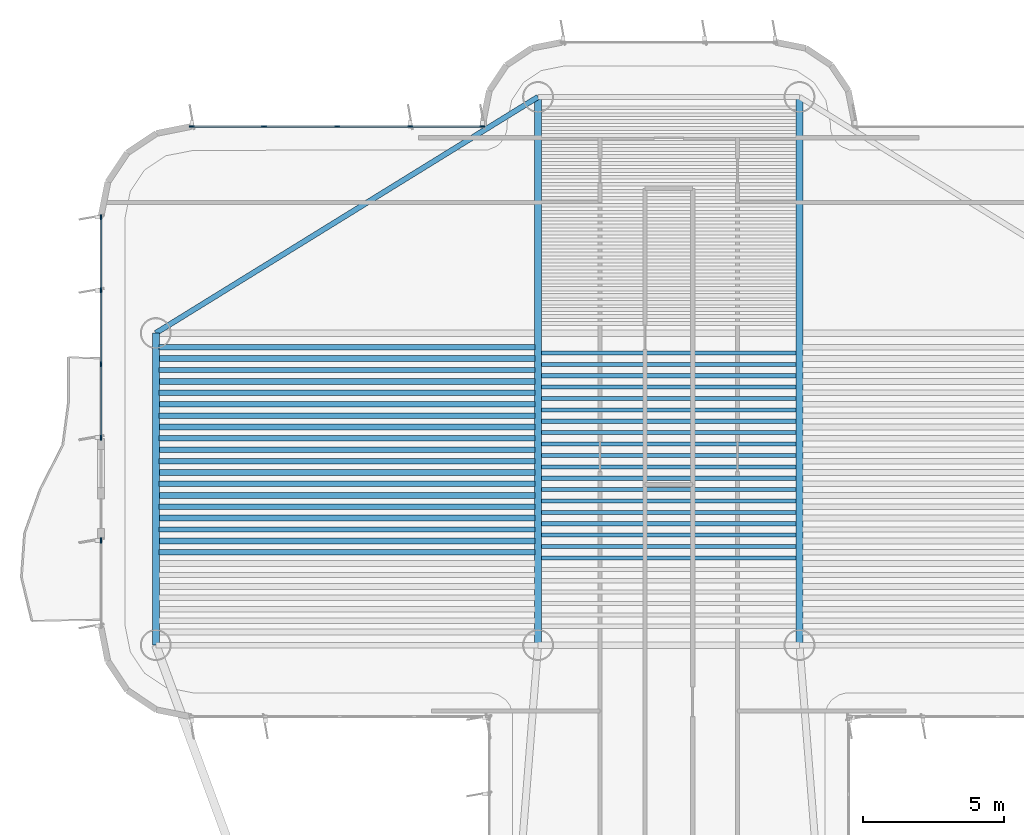
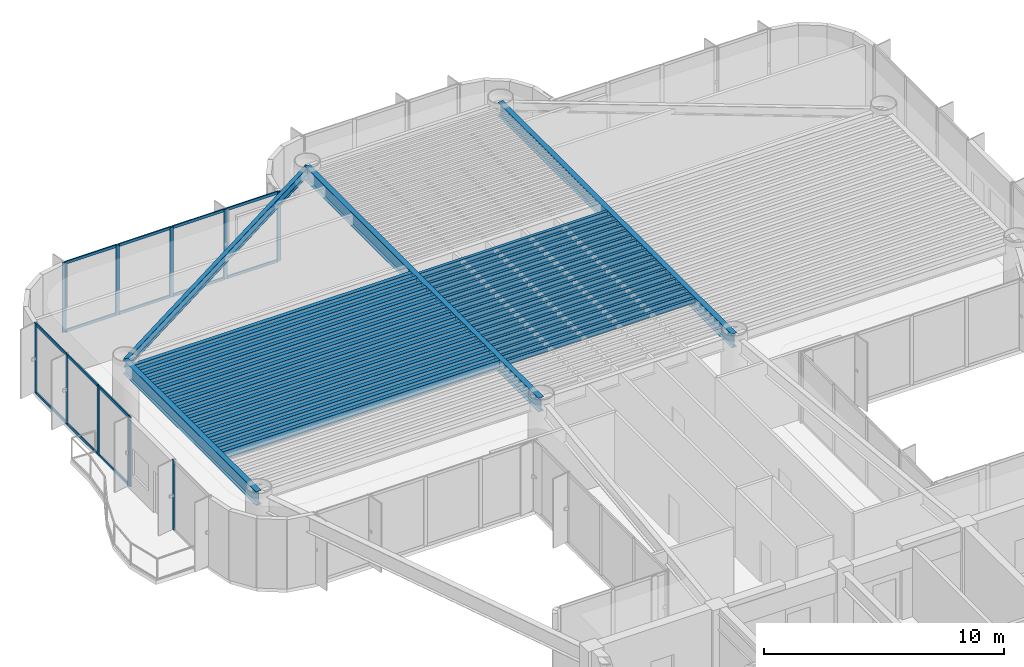
# One storey, part 5 of 13: 42 beams, 24 members, 3 elements without a shape of their own.
"""IFC4 building model written with IfcOpenShell, lengths in metres."""

from ifc_helpers import new_model, si_unit, direction, frame, origin, origin_2d, place, context, subcontext, project, spatial, rectangle, i_section, extrude, source, transform, mapped, material, layer, layer_set, material_profile, profile_set, type_object, element, aggregate, save


model = new_model("IFC4")

# Units and contexts
model_context = context("Model", 3, precision=1e-05, world=origin(), true_north=direction((0.0, 1.0)))
body_context = subcontext(model_context, "Body", "Model", "MODEL_VIEW")
ifc_project = project(units=[si_unit("LENGTHUNIT", "METRE"), si_unit("AREAUNIT", "SQUARE_METRE"), si_unit("VOLUMEUNIT", "CUBIC_METRE"), si_unit("PLANEANGLEUNIT", "RADIAN"), si_unit("MASSUNIT", "GRAM", prefix="KILO")], contexts=[model_context])

# Site, building, storey
site_placement = place(None, origin())
site = spatial("IfcSite", under=ifc_project, at=site_placement, CompositionType="ELEMENT")
building_placement = place(site_placement, origin())
building = spatial("IfcBuilding", under=site, at=building_placement, Name="Brelvock Crest Care Tower", CompositionType="ELEMENT")
storey_placement = place(building_placement, frame((0.0, 0.0, 186.659912109375)))
storey = spatial("IfcBuildingStorey", under=building, at=storey_placement, Name="L47", CompositionType="ELEMENT", Elevation=186.659912109375)

# Beams
ifc_material_1 = material(Name="Steel Grade 350", Category="steel")
ifc_material_profile_1 = material_profile(ifc_material_1, i_section(OverallWidth=0.14599609375, OverallDepth=0.256103515625, WebThickness=0.00634765625, FlangeThickness=0.010986328125, FilletRadius=0.0087890625, at=origin_2d()), Name="250UB37.3")
ifc_profile_set_1 = profile_set([ifc_material_profile_1], Name="Steel Grade 350")
beam_type_1 = type_object("IfcBeamType", Name="BM-J3", PredefinedType="JOIST", material=ifc_profile_set_1)
shared_shape_1 = source(origin(), body_context, "Body", "SweptSolid", [
    extrude(i_section(OverallWidth=0.14599609375, OverallDepth=0.256103515625, WebThickness=0.00634765625, FlangeThickness=0.010986328125, FilletRadius=0.0087890625, at=origin_2d()), origin(), (0.0, 0.0, 1.0), 9.06982421875),
])
for number, where, z_axis, x_axis, name in (
    (1, (31.465087890625, 38.0498046875, 3.402099609375), (1.0, 0.0, 0.0), (0.0, 1.0, 0.0), "BM-JH-L47-7"),
    (2, (31.465087890625, 38.454833984375, 3.402099609375), (1.0, 0.0, 0.0), (0.0, 1.0, 0.0), "BM-JH-L47-8"),
    (3, (31.465087890625, 38.860107421875, 3.402099609375), (1.0, 0.0, 0.0), (0.0, 1.0, 0.0), "BM-JH-L47-9"),
    (4, (31.465087890625, 39.26513671875, 3.402099609375), (1.0, 0.0, 0.0), (0.0, 1.0, 0.0), "BM-JH-L47-10"),
    (5, (31.465087890625, 39.67041015625, 3.402099609375), (1.0, 0.0, 0.0), (0.0, 1.0, 0.0), "BM-JH-L47-11"),
    (6, (31.465087890625, 40.075439453125, 3.402099609375), (1.0, 0.0, 0.0), (0.0, 1.0, 0.0), "BM-JH-L47-12"),
    (7, (31.465087890625, 40.480712890625, 3.402099609375), (1.0, 0.0, 0.0), (0.0, 1.0, 0.0), "BM-JH-L47-13"),
    (8, (31.465087890625, 40.8857421875, 3.402099609375), (1.0, 0.0, 0.0), (0.0, 1.0, 0.0), "BM-JH-L47-14"),
    (9, (31.465087890625, 41.291015625, 3.402099609375), (1.0, 0.0, 0.0), (0.0, 1.0, 0.0), "BM-JH-L47-15"),
    (10, (31.465087890625, 41.696044921875, 3.402099609375), (1.0, 0.0, 0.0), (0.0, 1.0, 0.0), "BM-JH-L47-16"),
    (11, (31.465087890625, 42.101318359375, 3.402099609375), (1.0, 0.0, 0.0), (0.0, 1.0, 0.0), "BM-JH-L47-17"),
    (12, (31.465087890625, 42.50634765625, 3.402099609375), (1.0, 0.0, 0.0), (0.0, 1.0, 0.0), "BM-JH-L47-18"),
    (13, (31.465087890625, 42.91162109375, 3.402099609375), (1.0, 0.0, 0.0), (0.0, 1.0, 0.0), "BM-JH-L47-19"),
    (14, (31.465087890625, 43.316650390625, 3.402099609375), (1.0, 0.0, 0.0), (0.0, 1.0, 0.0), "BM-JH-L47-20"),
    (15, (31.465087890625, 43.7216796875, 3.402099609375), (1.0, 0.0, 0.0), (0.0, 1.0, 0.0), "BM-JH-L47-21"),
    (16, (31.465087890625, 44.126953125, 3.402099609375), (1.0, 0.0, 0.0), (0.0, 1.0, 0.0), "BM-JH-L47-22"),
    (17, (31.465087890625, 44.531982421875, 3.402099609375), (1.0, 0.0, 0.0), (0.0, 1.0, 0.0), "BM-JH-L47-23"),
    (18, (31.465087890625, 44.937255859375, 3.402099609375), (1.0, 0.0, 0.0), (0.0, 1.0, 0.0), "BM-JH-L47-24"),
    (19, (31.465087890625, 45.34228515625, 3.402099609375), (1.0, 0.0, 0.0), (0.0, 1.0, 0.0), "BM-JH-L47-25"),
):
    element("IfcBeam", number, at=place(storey_placement, frame(where, z_axis=z_axis, x_axis=x_axis)), inside=storey, type_object=beam_type_1, Name=name, PredefinedType="JOIST", context=body_context, shape_type="MappedRepresentation", body=[
        mapped(shared_shape_1, transform((0.0, 0.0, 0.0), x_axis=(1.0, 0.0, 0.0), y_axis=(0.0, 1.0, 0.0), z_axis=(0.0, 0.0, 1.0), scale=1.0)),
    ])
ifc_material_profile_2 = material_profile(ifc_material_1, i_section(OverallWidth=0.208984375, OverallDepth=0.532958984375, WebThickness=0.01025390625, FlangeThickness=0.015625, FilletRadius=0.013916015625, at=origin_2d()), Name="530UB92.4")
ifc_profile_set_2 = profile_set([ifc_material_profile_2], Name="Steel Grade 350")
beam_type_2 = type_object("IfcBeamType", Name="BM-G2", PredefinedType="BEAM", material=ifc_profile_set_2)
shared_shape_2 = source(origin(), body_context, "Body", "SweptSolid", [
    extrude(i_section(OverallWidth=0.208984375, OverallDepth=0.532958984375, WebThickness=0.01025390625, FlangeThickness=0.015625, FilletRadius=0.013916015625, at=origin_2d()), origin(), (0.0, 0.0, 1.0), 13.3701171875),
])
for number, where, z_axis, x_axis, name in (
    (20, (17.864990234375, 38.657470703125, 3.263671875), (1.0, 0.0, 0.0), (0.0, 1.0, 0.0), "BM-JW-L47-9"),
    (21, (17.864990234375, 39.4677734375, 3.263671875), (1.0, 0.0, 0.0), (0.0, 1.0, 0.0), "BM-JW-L47-11"),
    (22, (17.864990234375, 40.278076171875, 3.263671875), (1.0, 0.0, 0.0), (0.0, 1.0, 0.0), "BM-JW-L47-13"),
    (23, (17.864990234375, 41.08837890625, 3.263671875), (1.0, 0.0, 0.0), (0.0, 1.0, 0.0), "BM-JW-L47-15"),
    (24, (17.864990234375, 41.898681640625, 3.263671875), (1.0, 0.0, 0.0), (0.0, 1.0, 0.0), "BM-JW-L47-17"),
    (25, (17.864990234375, 42.708984375, 3.263671875), (1.0, 0.0, 0.0), (0.0, 1.0, 0.0), "BM-JW-L47-19"),
    (26, (17.864990234375, 43.519287109375, 3.263671875), (1.0, 0.0, 0.0), (0.0, 1.0, 0.0), "BM-JW-L47-21"),
    (27, (17.864990234375, 44.32958984375, 3.263671875), (1.0, 0.0, 0.0), (0.0, 1.0, 0.0), "BM-JW-L47-23"),
    (28, (17.864990234375, 45.139892578125, 3.263671875), (1.0, 0.0, 0.0), (0.0, 1.0, 0.0), "BM-JW-L47-25"),
):
    element("IfcBeam", number, at=place(storey_placement, frame(where, z_axis=z_axis, x_axis=x_axis)), inside=storey, type_object=beam_type_2, Name=name, PredefinedType="BEAM", context=body_context, shape_type="MappedRepresentation", body=[
        mapped(shared_shape_2, transform((0.0, 0.0, 0.0), x_axis=(1.0, 0.0, 0.0), y_axis=(0.0, 1.0, 0.0), z_axis=(0.0, 0.0, 1.0), scale=1.0)),
    ])
ifc_material_profile_3 = material_profile(ifc_material_1, i_section(OverallWidth=0.19091796875, OverallDepth=0.4599609375, WebThickness=0.010009765625, FlangeThickness=0.01611328125, FilletRadius=0.011474609375, at=origin_2d()), Name="460UB82.1")
ifc_profile_set_3 = profile_set([ifc_material_profile_3], Name="Steel Grade 350")
beam_type_3 = type_object("IfcBeamType", Name="BM-G3", PredefinedType="BEAM", material=ifc_profile_set_3)
shared_shape_3 = source(origin(), body_context, "Body", "SweptSolid", [
    extrude(i_section(OverallWidth=0.19091796875, OverallDepth=0.4599609375, WebThickness=0.010009765625, FlangeThickness=0.01611328125, FilletRadius=0.011474609375, at=origin_2d()), origin(), (0.0, 0.0, 1.0), 13.3701171875),
])
for number, where, z_axis, x_axis, name in (
    (29, (17.864990234375, 38.252197265625, 3.300048828125), (1.0, 0.0, 0.0), (0.0, 1.0, 0.0), "BM-JW-L47-8"),
    (30, (17.864990234375, 39.0625, 3.300048828125), (1.0, 0.0, 0.0), (0.0, 1.0, 0.0), "BM-JW-L47-10"),
    (31, (17.864990234375, 39.872802734375, 3.300048828125), (1.0, 0.0, 0.0), (0.0, 1.0, 0.0), "BM-JW-L47-12"),
    (32, (17.864990234375, 40.68310546875, 3.300048828125), (1.0, 0.0, 0.0), (0.0, 1.0, 0.0), "BM-JW-L47-14"),
    (33, (17.864990234375, 41.493408203125, 3.300048828125), (1.0, 0.0, 0.0), (0.0, 1.0, 0.0), "BM-JW-L47-16"),
    (34, (17.864990234375, 42.3037109375, 3.300048828125), (1.0, 0.0, 0.0), (0.0, 1.0, 0.0), "BM-JW-L47-18"),
    (35, (17.864990234375, 43.114013671875, 3.300048828125), (1.0, 0.0, 0.0), (0.0, 1.0, 0.0), "BM-JW-L47-20"),
    (36, (17.864990234375, 43.92431640625, 3.300048828125), (1.0, 0.0, 0.0), (0.0, 1.0, 0.0), "BM-JW-L47-22"),
    (37, (17.864990234375, 44.734619140625, 3.300048828125), (1.0, 0.0, 0.0), (0.0, 1.0, 0.0), "BM-JW-L47-24"),
    (38, (17.864990234375, 45.544921875, 3.300048828125), (1.0, 0.0, 0.0), (0.0, 1.0, 0.0), "BM-JW-L47-26"),
):
    element("IfcBeam", number, at=place(storey_placement, frame(where, z_axis=z_axis, x_axis=x_axis)), inside=storey, type_object=beam_type_3, Name=name, PredefinedType="BEAM", context=body_context, shape_type="MappedRepresentation", body=[
        mapped(shared_shape_3, transform((0.0, 0.0, 0.0), x_axis=(1.0, 0.0, 0.0), y_axis=(0.0, 1.0, 0.0), z_axis=(0.0, 0.0, 1.0), scale=1.0)),
    ])
ifc_material_profile_4 = material_profile(ifc_material_1, i_section(OverallWidth=0.25, OverallDepth=0.699951171875, WebThickness=0.011962890625, FlangeThickness=0.02001953125, at=origin_2d()), Name="700WB150")
ifc_profile_set_4 = profile_set([ifc_material_profile_4], Name="Steel Grade 350")
beam_type_4 = type_object("IfcBeamType", Name="BM-G4", PredefinedType="BEAM", material=ifc_profile_set_4)
shared_shape_4 = source(origin(), body_context, "Body", "SweptSolid", [
    extrude(i_section(OverallWidth=0.25, OverallDepth=0.699951171875, WebThickness=0.011962890625, FlangeThickness=0.02001953125, at=origin_2d()), origin(), (0.0, 0.0, 1.0), 11.10009765625),
])
beam_1_placement = place(storey_placement, frame((17.75, 34.949951171875, 3.18017578125), z_axis=(0.0, 1.0, 0.0), x_axis=(-1.0, 0.0, 0.0)))
element("IfcBeam", 39, at=beam_1_placement, inside=storey, type_object=beam_type_4, Name="BM-TWR-L47-01", PredefinedType="BEAM", context=body_context, shape_type="MappedRepresentation", body=[
    mapped(shared_shape_4, transform((0.0, 0.0, 0.0), x_axis=(1.0, 0.0, 0.0), y_axis=(0.0, 1.0, 0.0), z_axis=(0.0, 0.0, 1.0), scale=1.0)),
])
ifc_material_profile_5 = material_profile(ifc_material_1, i_section(OverallWidth=0.19091796875, OverallDepth=0.4599609375, WebThickness=0.010009765625, FlangeThickness=0.01611328125, FilletRadius=0.011474609375, at=origin_2d()), Name="460UB82.1")
ifc_profile_set_5 = profile_set([ifc_material_profile_5], Name="Steel Grade 350")
beam_type_5 = type_object("IfcBeamType", Name="BM-SP2", PredefinedType="SPANDREL", material=ifc_profile_set_5)
shared_shape_5 = source(origin(), body_context, "Body", "SweptSolid", [
    extrude(i_section(OverallWidth=0.19091796875, OverallDepth=0.4599609375, WebThickness=0.010009765625, FlangeThickness=0.01611328125, FilletRadius=0.011474609375, at=origin_2d()), origin(), (0.0, 0.0, 1.0), 15.985107421875),
])
beam_2_placement = place(storey_placement, frame((17.75, 46.050048828125, 3.300048828125), z_axis=(0.850802415717, 0.525485727124, 0.0), x_axis=(-0.525485727124, 0.850802415717, 0.0)))
element("IfcBeam", 40, at=beam_2_placement, inside=storey, type_object=beam_type_5, Name="BM-TWR-L47-06", PredefinedType="SPANDREL", context=body_context, shape_type="MappedRepresentation", body=[
    mapped(shared_shape_5, transform((0.0, 0.0, 0.0), x_axis=(1.0, 0.0, 0.0), y_axis=(0.0, 1.0, 0.0), z_axis=(0.0, 0.0, 1.0), scale=1.0)),
])
shared_shape_6 = source(origin(), body_context, "Body", "SweptSolid", [
    extrude(i_section(OverallWidth=0.25, OverallDepth=0.699951171875, WebThickness=0.011962890625, FlangeThickness=0.02001953125, at=origin_2d()), origin(), (0.0, 0.0, 1.0), 19.5),
])
for number, where, z_axis, x_axis, name in (
    (41, (31.35009765625, 34.949951171875, 3.18017578125), (0.0, 1.0, 0.0), (-1.0, 0.0, 0.0), "BM-TWR-L47-09"),
    (42, (40.64990234375, 34.949951171875, 3.18017578125), (0.0, 1.0, 0.0), (-1.0, 0.0, 0.0), "BM-TWR-L47-10"),
):
    element("IfcBeam", number, at=place(storey_placement, frame(where, z_axis=z_axis, x_axis=x_axis)), inside=storey, type_object=beam_type_4, Name=name, PredefinedType="BEAM", context=body_context, shape_type="MappedRepresentation", body=[
        mapped(shared_shape_6, transform((0.0, 0.0, 0.0), x_axis=(1.0, 0.0, 0.0), y_axis=(0.0, 1.0, 0.0), z_axis=(0.0, 0.0, 1.0), scale=1.0)),
    ])

# Curtain wall, member
ifc_material_2 = material(Name="Dark Glass Double Glazed Low-E", Category="glass")
ifc_layer = layer(ifc_material_2, 0.22509765625, Name="CWS-4")
ifc_layer_set = layer_set([ifc_layer], Name="Dark Glass Double Glazed Low-E")
curtain_wall_type = type_object("IfcCurtainWallType", Name="CWS-4", PredefinedType="NOTDEFINED", material=ifc_layer_set)
curtain_wall_1_placement = place(storey_placement, origin())
curtain_wall_1 = element("IfcCurtainWall", 43, at=curtain_wall_1_placement, inside=storey, type_object=curtain_wall_type, Name="L47 Curtain Wall E17A", PredefinedType="NOTDEFINED")
ifc_material_3 = material(Name="Aluminium 6063-T6", Category="aluminium")
ifc_material_profile_6 = material_profile(ifc_material_3, rectangle(XDim=0.06005859375, YDim=0.179931640625, at=origin_2d()), Name="ALU60x180")
ifc_profile_set_6 = profile_set([ifc_material_profile_6], Name="Aluminium 6063-T6")
member_type_1 = type_object("IfcMemberType", Name="CWM-2", PredefinedType="MULLION", material=ifc_profile_set_6)
shared_shape_7 = source(origin(), body_context, "Body", "SweptSolid", [
    extrude(rectangle(XDim=0.06005859375, YDim=0.179931640625, at=origin_2d()), origin(), (0.0, 0.0, 1.0), 3.530029296875),
])
member_1_placement = place(storey_placement, frame((15.800048828125, 38.669921875, 0.0), z_axis=(0.0, 0.0, 1.0), x_axis=(-1.0, 0.0, 0.0)))
member_1 = element("IfcMember", 44, at=member_1_placement, type_object=member_type_1, Name="CW-4 mullion 2", PredefinedType="MULLION", context=body_context, shape_type="MappedRepresentation", body=[
    mapped(shared_shape_7, transform((0.0, 0.0, 0.0), x_axis=(1.0, 0.0, 0.0), y_axis=(0.0, 1.0, 0.0), z_axis=(0.0, 0.0, 1.0), scale=1.0)),
])
aggregate(curtain_wall_1, [member_1])

# Curtain wall, members
curtain_wall_2_placement = place(storey_placement, origin())
curtain_wall_2 = element("IfcCurtainWall", 45, at=curtain_wall_2_placement, inside=storey, type_object=curtain_wall_type, Name="L47 Curtain Wall E17B", PredefinedType="NOTDEFINED")
member_2_placement = place(storey_placement, frame((15.800048828125, 42.330078125, 0.0), z_axis=(0.0, 0.0, 1.0), x_axis=(-1.0, 0.0, 0.0)))
member_2 = element("IfcMember", 46, at=member_2_placement, type_object=member_type_1, Name="CW-4 mullion 1", PredefinedType="MULLION", context=body_context, shape_type="MappedRepresentation", body=[
    mapped(shared_shape_7, transform((0.0, 0.0, 0.0), x_axis=(1.0, 0.0, 0.0), y_axis=(0.0, 1.0, 0.0), z_axis=(0.0, 0.0, 1.0), scale=1.0)),
])
member_3_placement = place(storey_placement, frame((15.800048828125, 44.933349609375, 0.0), z_axis=(0.0, 0.0, 1.0), x_axis=(-1.0, 0.0, 0.0)))
member_3 = element("IfcMember", 47, at=member_3_placement, type_object=member_type_1, Name="CW-4 mullion 2", PredefinedType="MULLION", context=body_context, shape_type="MappedRepresentation", body=[
    mapped(shared_shape_7, transform((0.0, 0.0, 0.0), x_axis=(1.0, 0.0, 0.0), y_axis=(0.0, 1.0, 0.0), z_axis=(0.0, 0.0, 1.0), scale=1.0)),
])
member_4_placement = place(storey_placement, frame((15.800048828125, 47.566650390625, 0.0), z_axis=(0.0, 0.0, 1.0), x_axis=(-1.0, 0.0, 0.0)))
member_4 = element("IfcMember", 48, at=member_4_placement, type_object=member_type_1, Name="CW-4 mullion 3", PredefinedType="MULLION", context=body_context, shape_type="MappedRepresentation", body=[
    mapped(shared_shape_7, transform((0.0, 0.0, 0.0), x_axis=(1.0, 0.0, 0.0), y_axis=(0.0, 1.0, 0.0), z_axis=(0.0, 0.0, 1.0), scale=1.0)),
])
member_5_placement = place(storey_placement, frame((15.800048828125, 50.169921875, 0.0), z_axis=(0.0, 0.0, 1.0), x_axis=(-1.0, 0.0, 0.0)))
member_5 = element("IfcMember", 49, at=member_5_placement, type_object=member_type_1, Name="CW-4 mullion 4", PredefinedType="MULLION", context=body_context, shape_type="MappedRepresentation", body=[
    mapped(shared_shape_7, transform((0.0, 0.0, 0.0), x_axis=(1.0, 0.0, 0.0), y_axis=(0.0, 1.0, 0.0), z_axis=(0.0, 0.0, 1.0), scale=1.0)),
])

curtain_wall_3_placement = place(storey_placement, origin())
curtain_wall_3 = element("IfcCurtainWall", 50, at=curtain_wall_3_placement, inside=storey, type_object=curtain_wall_type, Name="L47 Curtain Wall E22", PredefinedType="NOTDEFINED")
member_6_placement = place(storey_placement, frame((19.030029296875, 53.39990234375, 0.0), z_axis=(0.0, 0.0, 1.0), x_axis=(0.0, 1.0, 0.0)))
member_6 = element("IfcMember", 51, at=member_6_placement, type_object=member_type_1, Name="CW-4 mullion 1", PredefinedType="MULLION", context=body_context, shape_type="MappedRepresentation", body=[
    mapped(shared_shape_7, transform((0.0, 0.0, 0.0), x_axis=(1.0, 0.0, 0.0), y_axis=(0.0, 1.0, 0.0), z_axis=(0.0, 0.0, 1.0), scale=1.0)),
])
member_7_placement = place(storey_placement, frame((21.60009765625, 53.39990234375, 0.0), z_axis=(0.0, 0.0, 1.0), x_axis=(0.0, 1.0, 0.0)))
member_7 = element("IfcMember", 52, at=member_7_placement, type_object=member_type_1, Name="CW-4 mullion 2", PredefinedType="MULLION", context=body_context, shape_type="MappedRepresentation", body=[
    mapped(shared_shape_7, transform((0.0, 0.0, 0.0), x_axis=(1.0, 0.0, 0.0), y_axis=(0.0, 1.0, 0.0), z_axis=(0.0, 0.0, 1.0), scale=1.0)),
])
member_8_placement = place(storey_placement, frame((24.199951171875, 53.39990234375, 0.0), z_axis=(0.0, 0.0, 1.0), x_axis=(0.0, 1.0, 0.0)))
member_8 = element("IfcMember", 53, at=member_8_placement, type_object=member_type_1, Name="CW-4 mullion 3", PredefinedType="MULLION", context=body_context, shape_type="MappedRepresentation", body=[
    mapped(shared_shape_7, transform((0.0, 0.0, 0.0), x_axis=(1.0, 0.0, 0.0), y_axis=(0.0, 1.0, 0.0), z_axis=(0.0, 0.0, 1.0), scale=1.0)),
])
member_9_placement = place(storey_placement, frame((26.800048828125, 53.39990234375, 0.0), z_axis=(0.0, 0.0, 1.0), x_axis=(0.0, 1.0, 0.0)))
member_9 = element("IfcMember", 54, at=member_9_placement, type_object=member_type_1, Name="CW-4 mullion 4", PredefinedType="MULLION", context=body_context, shape_type="MappedRepresentation", body=[
    mapped(shared_shape_7, transform((0.0, 0.0, 0.0), x_axis=(1.0, 0.0, 0.0), y_axis=(0.0, 1.0, 0.0), z_axis=(0.0, 0.0, 1.0), scale=1.0)),
])
member_10_placement = place(storey_placement, frame((29.3701171875, 53.39990234375, 0.0), z_axis=(0.0, 0.0, 1.0), x_axis=(0.0, 1.0, 0.0)))
member_10 = element("IfcMember", 55, at=member_10_placement, type_object=member_type_1, Name="CW-4 mullion 5", PredefinedType="MULLION", context=body_context, shape_type="MappedRepresentation", body=[
    mapped(shared_shape_7, transform((0.0, 0.0, 0.0), x_axis=(1.0, 0.0, 0.0), y_axis=(0.0, 1.0, 0.0), z_axis=(0.0, 0.0, 1.0), scale=1.0)),
])
ifc_material_profile_7 = material_profile(ifc_material_3, rectangle(XDim=0.06005859375, YDim=0.139892578125, at=origin_2d()), Name="ALU60x140")
ifc_profile_set_7 = profile_set([ifc_material_profile_7], Name="Aluminium 6063-T6")
member_type_2 = type_object("IfcMemberType", Name="CWT-2", PredefinedType="USERDEFINED", material=ifc_profile_set_7)
shared_shape_8 = source(origin(), body_context, "Body", "SweptSolid", [
    extrude(rectangle(XDim=0.06005859375, YDim=0.139892578125, at=origin_2d()), origin(), (0.0, 0.0, 1.0), 2.510009765625),
])
member_11_placement = place(storey_placement, frame((19.06005859375, 53.39990234375, 0.030029296875), z_axis=(1.0, 0.0, 0.0), x_axis=(0.0, 1.0, 0.0)))
member_11 = element("IfcMember", 56, at=member_11_placement, type_object=member_type_2, Name="CW-4 transom 1.1", ObjectType="TRANSOM", PredefinedType="USERDEFINED", context=body_context, shape_type="MappedRepresentation", body=[
    mapped(shared_shape_8, transform((0.0, 0.0, 0.0), x_axis=(1.0, 0.0, 0.0), y_axis=(0.0, 1.0, 0.0), z_axis=(0.0, 0.0, 1.0), scale=1.0)),
])
member_12_placement = place(storey_placement, frame((19.06005859375, 53.39990234375, 3.5), z_axis=(1.0, 0.0, 0.0), x_axis=(0.0, 1.0, 0.0)))
member_12 = element("IfcMember", 57, at=member_12_placement, type_object=member_type_2, Name="CW-4 transom 1.2", ObjectType="TRANSOM", PredefinedType="USERDEFINED", context=body_context, shape_type="MappedRepresentation", body=[
    mapped(shared_shape_8, transform((0.0, 0.0, 0.0), x_axis=(1.0, 0.0, 0.0), y_axis=(0.0, 1.0, 0.0), z_axis=(0.0, 0.0, 1.0), scale=1.0)),
])
member_13_placement = place(storey_placement, frame((26.830078125, 53.39990234375, 0.030029296875), z_axis=(1.0, 0.0, 0.0), x_axis=(0.0, 1.0, 0.0)))
member_13 = element("IfcMember", 58, at=member_13_placement, type_object=member_type_2, Name="CW-4 transom 4.1", ObjectType="TRANSOM", PredefinedType="USERDEFINED", context=body_context, shape_type="MappedRepresentation", body=[
    mapped(shared_shape_8, transform((0.0, 0.0, 0.0), x_axis=(1.0, 0.0, 0.0), y_axis=(0.0, 1.0, 0.0), z_axis=(0.0, 0.0, 1.0), scale=1.0)),
])
member_14_placement = place(storey_placement, frame((26.830078125, 53.39990234375, 3.5), z_axis=(1.0, 0.0, 0.0), x_axis=(0.0, 1.0, 0.0)))
member_14 = element("IfcMember", 59, at=member_14_placement, type_object=member_type_2, Name="CW-4 transom 4.2", ObjectType="TRANSOM", PredefinedType="USERDEFINED", context=body_context, shape_type="MappedRepresentation", body=[
    mapped(shared_shape_8, transform((0.0, 0.0, 0.0), x_axis=(1.0, 0.0, 0.0), y_axis=(0.0, 1.0, 0.0), z_axis=(0.0, 0.0, 1.0), scale=1.0)),
])
shared_shape_9 = source(origin(), body_context, "Body", "SweptSolid", [
    extrude(rectangle(XDim=0.06005859375, YDim=0.139892578125, at=origin_2d()), origin(), (0.0, 0.0, 1.0), 2.5400390625),
])
member_15_placement = place(storey_placement, frame((21.6298828125, 53.39990234375, 0.030029296875), z_axis=(1.0, 0.0, 0.0), x_axis=(0.0, 1.0, 0.0)))
member_15 = element("IfcMember", 60, at=member_15_placement, type_object=member_type_2, Name="CW-4 transom 2.1", ObjectType="TRANSOM", PredefinedType="USERDEFINED", context=body_context, shape_type="MappedRepresentation", body=[
    mapped(shared_shape_9, transform((0.0, 0.0, 0.0), x_axis=(1.0, 0.0, 0.0), y_axis=(0.0, 1.0, 0.0), z_axis=(0.0, 0.0, 1.0), scale=1.0)),
])
member_16_placement = place(storey_placement, frame((21.6298828125, 53.39990234375, 3.5), z_axis=(1.0, 0.0, 0.0), x_axis=(0.0, 1.0, 0.0)))
member_16 = element("IfcMember", 61, at=member_16_placement, type_object=member_type_2, Name="CW-4 transom 2.2", ObjectType="TRANSOM", PredefinedType="USERDEFINED", context=body_context, shape_type="MappedRepresentation", body=[
    mapped(shared_shape_9, transform((0.0, 0.0, 0.0), x_axis=(1.0, 0.0, 0.0), y_axis=(0.0, 1.0, 0.0), z_axis=(0.0, 0.0, 1.0), scale=1.0)),
])
member_17_placement = place(storey_placement, frame((24.22998046875, 53.39990234375, 0.030029296875), z_axis=(1.0, 0.0, 0.0), x_axis=(0.0, 1.0, 0.0)))
member_17 = element("IfcMember", 62, at=member_17_placement, type_object=member_type_2, Name="CW-4 transom 3.1", ObjectType="TRANSOM", PredefinedType="USERDEFINED", context=body_context, shape_type="MappedRepresentation", body=[
    mapped(shared_shape_9, transform((0.0, 0.0, 0.0), x_axis=(1.0, 0.0, 0.0), y_axis=(0.0, 1.0, 0.0), z_axis=(0.0, 0.0, 1.0), scale=1.0)),
])
member_18_placement = place(storey_placement, frame((24.22998046875, 53.39990234375, 3.5), z_axis=(1.0, 0.0, 0.0), x_axis=(0.0, 1.0, 0.0)))
member_18 = element("IfcMember", 63, at=member_18_placement, type_object=member_type_2, Name="CW-4 transom 3.2", ObjectType="TRANSOM", PredefinedType="USERDEFINED", context=body_context, shape_type="MappedRepresentation", body=[
    mapped(shared_shape_9, transform((0.0, 0.0, 0.0), x_axis=(1.0, 0.0, 0.0), y_axis=(0.0, 1.0, 0.0), z_axis=(0.0, 0.0, 1.0), scale=1.0)),
])
aggregate(curtain_wall_3, [member_6, member_7, member_8, member_9, member_10, member_11, member_12, member_15, member_16, member_17, member_18, member_13, member_14])

# Member
shared_shape_10 = source(origin(), body_context, "Body", "SweptSolid", [
    extrude(rectangle(XDim=0.06005859375, YDim=0.139892578125, at=origin_2d()), origin(), (0.0, 0.0, 1.0), 2.543212890625),
])
member_19_placement = place(storey_placement, frame((15.800048828125, 42.360107421875, 0.030029296875), z_axis=(0.0, 1.0, 0.0), x_axis=(-1.0, 0.0, 0.0)))
member_19 = element("IfcMember", 64, at=member_19_placement, type_object=member_type_2, Name="CW-4 transom 1.1", ObjectType="TRANSOM", PredefinedType="USERDEFINED", context=body_context, shape_type="MappedRepresentation", body=[
    mapped(shared_shape_10, transform((0.0, 0.0, 0.0), x_axis=(1.0, 0.0, 0.0), y_axis=(0.0, 1.0, 0.0), z_axis=(0.0, 0.0, 1.0), scale=1.0)),
])

member_20_placement = place(storey_placement, frame((15.800048828125, 42.360107421875, 3.5), z_axis=(0.0, 1.0, 0.0), x_axis=(-1.0, 0.0, 0.0)))
member_20 = element("IfcMember", 65, at=member_20_placement, type_object=member_type_2, Name="CW-4 transom 1.2", ObjectType="TRANSOM", PredefinedType="USERDEFINED", context=body_context, shape_type="MappedRepresentation", body=[
    mapped(shared_shape_10, transform((0.0, 0.0, 0.0), x_axis=(1.0, 0.0, 0.0), y_axis=(0.0, 1.0, 0.0), z_axis=(0.0, 0.0, 1.0), scale=1.0)),
])

member_21_placement = place(storey_placement, frame((15.800048828125, 47.5966796875, 0.030029296875), z_axis=(0.0, 1.0, 0.0), x_axis=(-1.0, 0.0, 0.0)))
member_21 = element("IfcMember", 66, at=member_21_placement, type_object=member_type_2, Name="CW-4 transom 3.1", ObjectType="TRANSOM", PredefinedType="USERDEFINED", context=body_context, shape_type="MappedRepresentation", body=[
    mapped(shared_shape_10, transform((0.0, 0.0, 0.0), x_axis=(1.0, 0.0, 0.0), y_axis=(0.0, 1.0, 0.0), z_axis=(0.0, 0.0, 1.0), scale=1.0)),
])

member_22_placement = place(storey_placement, frame((15.800048828125, 47.5966796875, 3.5), z_axis=(0.0, 1.0, 0.0), x_axis=(-1.0, 0.0, 0.0)))
member_22 = element("IfcMember", 67, at=member_22_placement, type_object=member_type_2, Name="CW-4 transom 3.2", ObjectType="TRANSOM", PredefinedType="USERDEFINED", context=body_context, shape_type="MappedRepresentation", body=[
    mapped(shared_shape_10, transform((0.0, 0.0, 0.0), x_axis=(1.0, 0.0, 0.0), y_axis=(0.0, 1.0, 0.0), z_axis=(0.0, 0.0, 1.0), scale=1.0)),
])

shared_shape_11 = source(origin(), body_context, "Body", "SweptSolid", [
    extrude(rectangle(XDim=0.06005859375, YDim=0.139892578125, at=origin_2d()), origin(), (0.0, 0.0, 1.0), 2.5732421875),
])
member_23_placement = place(storey_placement, frame((15.800048828125, 44.96337890625, 0.030029296875), z_axis=(0.0, 1.0, 0.0), x_axis=(-1.0, 0.0, 0.0)))
member_23 = element("IfcMember", 68, at=member_23_placement, type_object=member_type_2, Name="CW-4 transom 2.1", ObjectType="TRANSOM", PredefinedType="USERDEFINED", context=body_context, shape_type="MappedRepresentation", body=[
    mapped(shared_shape_11, transform((0.0, 0.0, 0.0), x_axis=(1.0, 0.0, 0.0), y_axis=(0.0, 1.0, 0.0), z_axis=(0.0, 0.0, 1.0), scale=1.0)),
])

member_24_placement = place(storey_placement, frame((15.800048828125, 44.96337890625, 3.5), z_axis=(0.0, 1.0, 0.0), x_axis=(-1.0, 0.0, 0.0)))
member_24 = element("IfcMember", 69, at=member_24_placement, type_object=member_type_2, Name="CW-4 transom 2.2", ObjectType="TRANSOM", PredefinedType="USERDEFINED", context=body_context, shape_type="MappedRepresentation", body=[
    mapped(shared_shape_11, transform((0.0, 0.0, 0.0), x_axis=(1.0, 0.0, 0.0), y_axis=(0.0, 1.0, 0.0), z_axis=(0.0, 0.0, 1.0), scale=1.0)),
])

aggregate(curtain_wall_2, [member_2, member_3, member_4, member_5, member_19, member_20, member_23, member_24, member_21, member_22])

save(model, "model.ifc")
